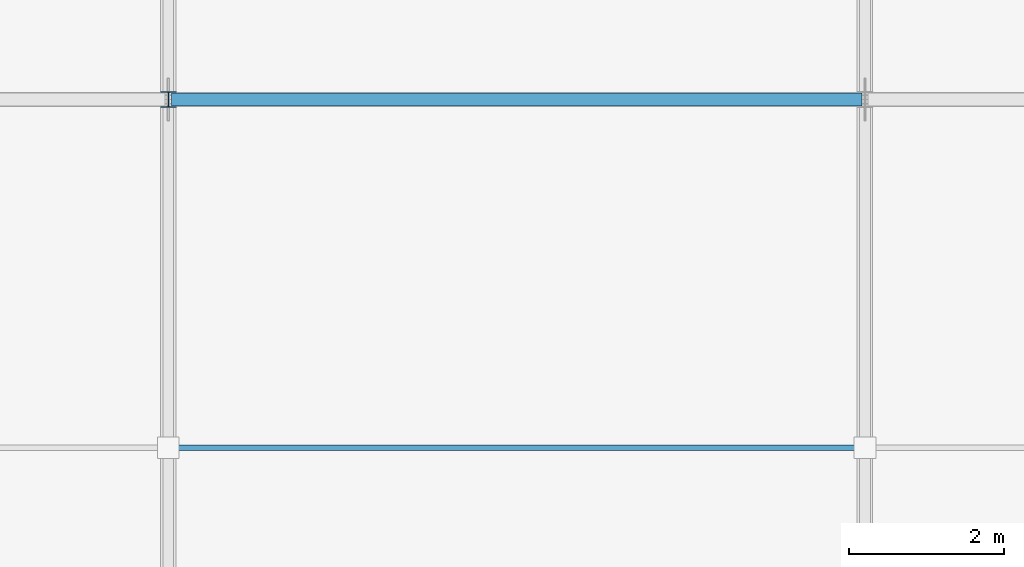
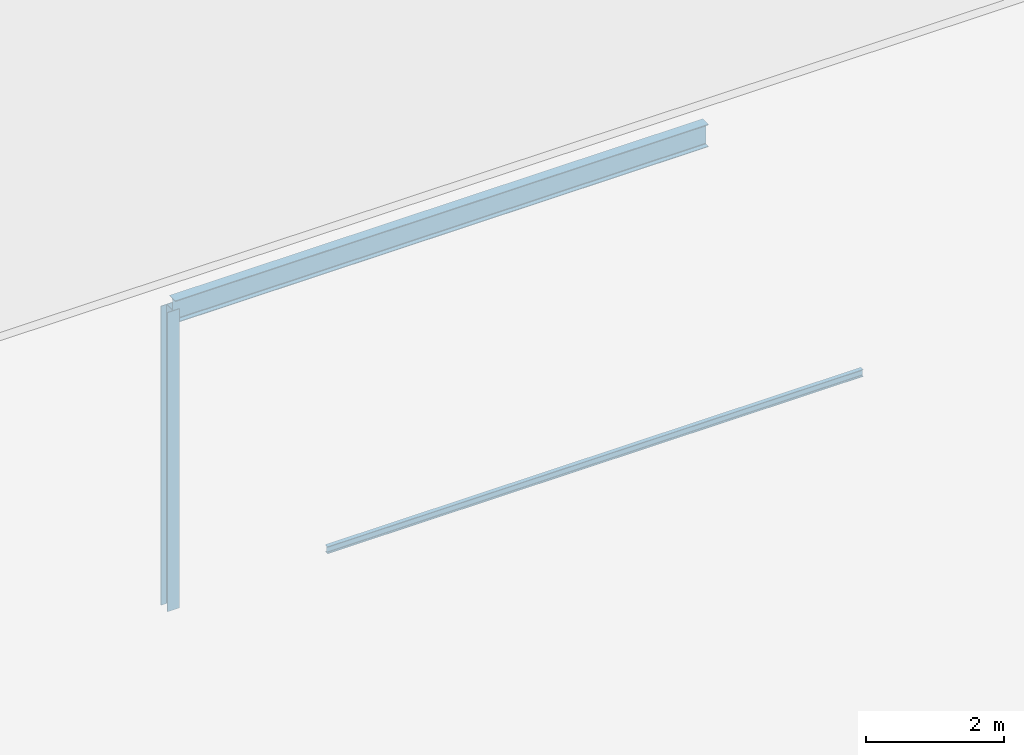
# One storey, part 74 of 132: 3 members.
"""IFC4 building model written with IfcOpenShell, lengths in metres."""

from ifc_helpers import new_model, si_unit, direction, frame, origin, origin_2d, place, context, subcontext, project, spatial, i_section, extrude, material, material_profile, profile_set, type_object, element, save


model = new_model("IFC4")

# Units and contexts
model_context = context("Model", 3, precision=1e-05, world=origin(), true_north=direction((0.0, 1.0)))
body_context = subcontext(model_context, "Body", "Model", "MODEL_VIEW")
ifc_project = project(units=[si_unit("LENGTHUNIT", "METRE"), si_unit("AREAUNIT", "SQUARE_METRE"), si_unit("VOLUMEUNIT", "CUBIC_METRE"), si_unit("PLANEANGLEUNIT", "RADIAN"), si_unit("MASSUNIT", "GRAM", prefix="KILO")], contexts=[model_context])

# Site, building, storey
site_placement = place(None, origin())
site = spatial("IfcSite", under=ifc_project, at=site_placement, CompositionType="ELEMENT")
building_placement = place(site_placement, origin())
building = spatial("IfcBuilding", under=site, at=building_placement, Name="Tharagai Park Tramway Depot", CompositionType="ELEMENT")
storey_placement = place(building_placement, frame((0.0, 0.0, 4.800048828125)))
storey = spatial("IfcBuildingStorey", under=building, at=storey_placement, Name="L01", CompositionType="ELEMENT", Elevation=4.800048828125)

# Members
ifc_material_1 = material(Name="Steel E350", Category="steel")
ifc_material_profile_1 = material_profile(ifc_material_1, i_section(OverallWidth=0.199951171875, OverallDepth=0.199951171875, WebThickness=0.0078125, FlangeThickness=0.009033203125, FilletRadius=0.009033203125, at=origin_2d()), Name="ISHB 200")
ifc_profile_set_1 = profile_set([ifc_material_profile_1], Name="Steel E350")
member_type_1 = type_object("IfcMemberType", Name="BR-10", PredefinedType="BRACE", material=ifc_profile_set_1)
member_1_placement = place(storey_placement, frame((198.0, 67.5, -0.449951171875), z_axis=(0.0, 0.0, 1.0), x_axis=(1.0, 0.0, 0.0)))
element("IfcMember", 1, at=member_1_placement, inside=storey, type_object=member_type_1, Name="V6 Gable King Strut BR-10", PredefinedType="BRACE", context=body_context, shape_type="SweptSolid", body=[
    extrude(i_section(OverallWidth=0.199951171875, OverallDepth=0.199951171875, WebThickness=0.0078125, FlangeThickness=0.009033203125, FilletRadius=0.009033203125, at=origin_2d()), origin(), (0.0, 0.0, 1.0), 5.2900390625),
])
ifc_material_2 = material(Name="Steel E250", Category="steel")
ifc_material_profile_2 = material_profile(ifc_material_2, i_section(OverallWidth=0.070068359375, OverallDepth=0.125, WebThickness=0.00439453125, FlangeThickness=0.007080078125, FilletRadius=0.008056640625, at=origin_2d()), Name="ISMB 125")
ifc_profile_set_2 = profile_set([ifc_material_profile_2], Name="Steel E250")
member_type_2 = type_object("IfcMemberType", Name="PR-06", PredefinedType="PURLIN", material=ifc_profile_set_2)
member_2_placement = place(storey_placement, frame((198.02001953125, 63.0, 3.284912109375), z_axis=(1.0, 0.0, 0.0), x_axis=(0.0, 1.0, 0.0)))
element("IfcMember", 2, at=member_2_placement, inside=storey, type_object=member_type_2, Name="V6 Roof Purlin PR-06", PredefinedType="PURLIN", context=body_context, shape_type="SweptSolid", body=[
    extrude(i_section(OverallWidth=0.070068359375, OverallDepth=0.125, WebThickness=0.00439453125, FlangeThickness=0.007080078125, FilletRadius=0.008056640625, at=origin_2d()), origin(), (0.0, 0.0, 1.0), 8.9599609375),
])
ifc_material_profile_3 = material_profile(ifc_material_1, i_section(OverallWidth=0.1650390625, OverallDepth=0.39990234375, WebThickness=0.008056640625, FlangeThickness=0.012451171875, FilletRadius=0.013916015625, at=origin_2d()), Name="ISLB 400")
ifc_profile_set_3 = profile_set([ifc_material_profile_3], Name="Steel E350")
member_type_3 = type_object("IfcMemberType", Name="TC-04", PredefinedType="CHORD", material=ifc_profile_set_3)
member_3_placement = place(storey_placement, frame((198.0400390625, 67.5, 4.7900390625), z_axis=(1.0, 0.0, 0.0), x_axis=(0.0, 1.0, 0.0)))
element("IfcMember", 3, at=member_3_placement, inside=storey, type_object=member_type_3, Name="V6 Roof Ridge Chord TC-04", PredefinedType="CHORD", context=body_context, shape_type="SweptSolid", body=[
    extrude(i_section(OverallWidth=0.1650390625, OverallDepth=0.39990234375, WebThickness=0.008056640625, FlangeThickness=0.012451171875, FilletRadius=0.013916015625, at=origin_2d()), origin(), (0.0, 0.0, 1.0), 8.919921875),
])

save(model, "model.ifc")
